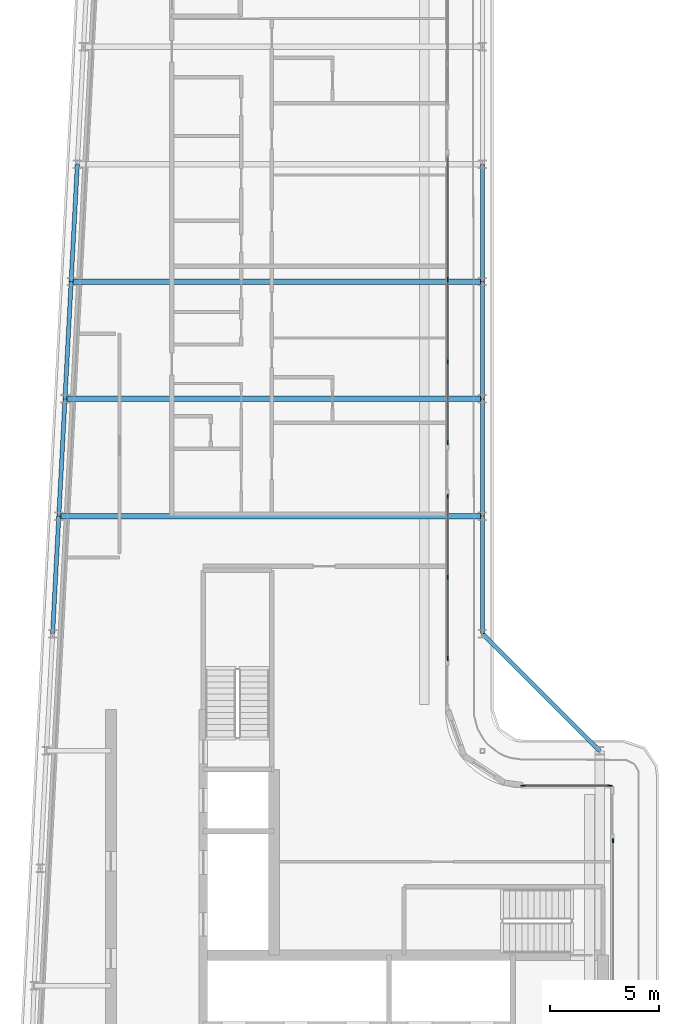
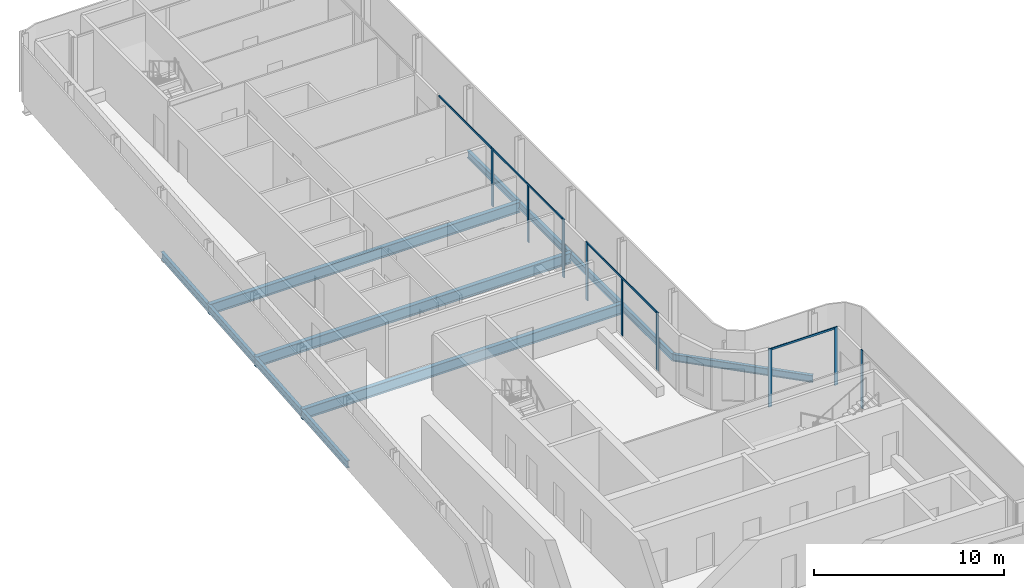
# One storey, part 5 of 17: 13 members, 12 beams, 5 elements without a shape of their own.
"""IFC4 building model written with IfcOpenShell, lengths in metres."""

from ifc_helpers import new_model, si_unit, direction, frame, origin, origin_2d, place, context, subcontext, project, spatial, rectangle, i_section, extrude, material, layer, layer_set, material_profile, profile_set, type_object, element, aggregate, save


model = new_model("IFC4")

# Units and contexts
model_context = context("Model", 3, precision=1e-05, world=origin(), true_north=direction((0.0, 1.0)))
body_context = subcontext(model_context, "Body", "Model", "MODEL_VIEW")
ifc_project = project(units=[si_unit("LENGTHUNIT", "METRE"), si_unit("AREAUNIT", "SQUARE_METRE"), si_unit("VOLUMEUNIT", "CUBIC_METRE"), si_unit("PLANEANGLEUNIT", "RADIAN"), si_unit("MASSUNIT", "GRAM", prefix="KILO")], contexts=[model_context])

# Site, building, storey
site_placement = place(None, origin())
site = spatial("IfcSite", under=ifc_project, at=site_placement, CompositionType="ELEMENT")
building_placement = place(site_placement, origin())
building = spatial("IfcBuilding", under=site, at=building_placement, Name="Kheshtan School and Residences Tower", CompositionType="ELEMENT")
storey_placement = place(building_placement, frame((0.0, 0.0, 346.10009765625)))
storey = spatial("IfcBuildingStorey", under=building, at=storey_placement, Name="L81", CompositionType="ELEMENT", Elevation=346.10009765625)

# Beams
ifc_material_1 = material(Name="Steel ASTM A992 Grade 50", Category="steel")
ifc_material_profile_1 = material_profile(ifc_material_1, i_section(OverallWidth=0.2529296875, OverallDepth=0.677978515625, WebThickness=0.01171875, FlangeThickness=0.016357421875, FilletRadius=0.0146484375, at=origin_2d()), Name="W690x125")
ifc_profile_set_1 = profile_set([ifc_material_profile_1], Name="Steel ASTM A992 Grade 50")
beam_type_1 = type_object("IfcBeamType", Name="Beam FB6 W690x125 ASTM A992 Grade 50", PredefinedType="BEAM", material=ifc_profile_set_1)
beam_1_placement = place(storey_placement, frame((47.60009765625, 61.800048828125, -0.489013671875), z_axis=(-1.0, 0.0, 0.0), x_axis=(0.0, -1.0, 0.0)))
element("IfcBeam", 1, at=beam_1_placement, inside=storey, type_object=beam_type_1, Name="Floor beam C083", PredefinedType="BEAM", context=body_context, shape_type="SweptSolid", body=[
    extrude(i_section(OverallWidth=0.2529296875, OverallDepth=0.677978515625, WebThickness=0.01171875, FlangeThickness=0.016357421875, FilletRadius=0.0146484375, at=origin_2d()), origin(), (0.0, 0.0, 1.0), 19.210205078125),
])
beam_2_placement = place(storey_placement, frame((28.10595703125, 56.39990234375, -0.489013671875), z_axis=(1.0, 0.0, 0.0), x_axis=(0.0, 1.0, 0.0)))
element("IfcBeam", 2, at=beam_2_placement, inside=storey, type_object=beam_type_1, Name="Floor beam C080", PredefinedType="BEAM", context=body_context, shape_type="SweptSolid", body=[
    extrude(i_section(OverallWidth=0.2529296875, OverallDepth=0.677978515625, WebThickness=0.01171875, FlangeThickness=0.016357421875, FilletRadius=0.0146484375, at=origin_2d()), origin(), (0.0, 0.0, 1.0), 19.494140625),
])
beam_3_placement = place(storey_placement, frame((28.674072265625, 67.199951171875, -0.489013671875), z_axis=(1.0, 0.0, 0.0), x_axis=(0.0, 1.0, 0.0)))
element("IfcBeam", 3, at=beam_3_placement, inside=storey, type_object=beam_type_1, Name="Floor beam C084", PredefinedType="BEAM", context=body_context, shape_type="SweptSolid", body=[
    extrude(i_section(OverallWidth=0.2529296875, OverallDepth=0.677978515625, WebThickness=0.01171875, FlangeThickness=0.016357421875, FilletRadius=0.0146484375, at=origin_2d()), origin(), (0.0, 0.0, 1.0), 18.926025390625),
])
ifc_material_profile_2 = material_profile(ifc_material_1, i_section(OverallWidth=0.18994140625, OverallDepth=0.45703125, WebThickness=0.009033203125, FlangeThickness=0.014404296875, FilletRadius=0.01318359375, at=origin_2d()), Name="W460x74")
ifc_profile_set_2 = profile_set([ifc_material_profile_2], Name="Steel ASTM A992 Grade 50")
beam_type_2 = type_object("IfcBeamType", Name="Beam SP4 W460x74 ASTM A992 Grade 50", PredefinedType="BEAM", material=ifc_profile_set_2)
beam_4_placement = place(storey_placement, frame((47.60009765625, 72.60009765625, -0.378662109375), z_axis=(0.0, -1.0, 0.0), x_axis=(1.0, 0.0, 0.0)))
element("IfcBeam", 4, at=beam_4_placement, inside=storey, type_object=beam_type_2, Name="Spandrel beam C087-C085", PredefinedType="BEAM", context=body_context, shape_type="SweptSolid", body=[
    extrude(i_section(OverallWidth=0.18994140625, OverallDepth=0.45703125, WebThickness=0.009033203125, FlangeThickness=0.014404296875, FilletRadius=0.01318359375, at=origin_2d()), origin(), (0.0, 0.0, 1.0), 5.400146484375),
])
beam_5_placement = place(storey_placement, frame((47.60009765625, 67.199951171875, -0.378662109375), z_axis=(0.0, -1.0, 0.0), x_axis=(1.0, 0.0, 0.0)))
element("IfcBeam", 5, at=beam_5_placement, inside=storey, type_object=beam_type_2, Name="Spandrel beam C085-C083", PredefinedType="BEAM", context=body_context, shape_type="SweptSolid", body=[
    extrude(i_section(OverallWidth=0.18994140625, OverallDepth=0.45703125, WebThickness=0.009033203125, FlangeThickness=0.014404296875, FilletRadius=0.01318359375, at=origin_2d()), origin(), (0.0, 0.0, 1.0), 5.39990234375),
])
beam_6_placement = place(storey_placement, frame((47.60009765625, 61.800048828125, -0.378662109375), z_axis=(0.0, -1.0, 0.0), x_axis=(1.0, 0.0, 0.0)))
element("IfcBeam", 6, at=beam_6_placement, inside=storey, type_object=beam_type_2, Name="Spandrel beam C083-C081", PredefinedType="BEAM", context=body_context, shape_type="SweptSolid", body=[
    extrude(i_section(OverallWidth=0.18994140625, OverallDepth=0.45703125, WebThickness=0.009033203125, FlangeThickness=0.014404296875, FilletRadius=0.01318359375, at=origin_2d()), origin(), (0.0, 0.0, 1.0), 5.400146484375),
])
beam_7_placement = place(storey_placement, frame((47.60009765625, 56.39990234375, -0.378662109375), z_axis=(0.0, -1.0, 0.0), x_axis=(1.0, 0.0, 0.0)))
element("IfcBeam", 7, at=beam_7_placement, inside=storey, type_object=beam_type_2, Name="Spandrel beam C081-C079", PredefinedType="BEAM", context=body_context, shape_type="SweptSolid", body=[
    extrude(i_section(OverallWidth=0.18994140625, OverallDepth=0.45703125, WebThickness=0.009033203125, FlangeThickness=0.014404296875, FilletRadius=0.01318359375, at=origin_2d()), origin(), (0.0, 0.0, 1.0), 5.39990234375),
])
beam_8_placement = place(storey_placement, frame((47.60009765625, 51.0, -0.378662109375), z_axis=(0.707106781187, -0.707106781187, 0.0), x_axis=(0.707106781187, 0.707106781187, 0.0)))
element("IfcBeam", 8, at=beam_8_placement, inside=storey, type_object=beam_type_2, Name="Spandrel beam C079-C061", PredefinedType="BEAM", context=body_context, shape_type="SweptSolid", body=[
    extrude(i_section(OverallWidth=0.18994140625, OverallDepth=0.45703125, WebThickness=0.009033203125, FlangeThickness=0.014404296875, FilletRadius=0.01318359375, at=origin_2d()), origin(), (0.0, 0.0, 1.0), 7.63671875),
])
beam_9_placement = place(storey_placement, frame((27.822021484375, 51.0, -0.378662109375), z_axis=(0.05250906864, 0.998620447272, 0.0), x_axis=(-0.998620447272, 0.05250906864, 0.0)))
element("IfcBeam", 9, at=beam_9_placement, inside=storey, type_object=beam_type_2, Name="Spandrel beam C078-C080", PredefinedType="BEAM", context=body_context, shape_type="SweptSolid", body=[
    extrude(i_section(OverallWidth=0.18994140625, OverallDepth=0.45703125, WebThickness=0.009033203125, FlangeThickness=0.014404296875, FilletRadius=0.01318359375, at=origin_2d()), origin(), (0.0, 0.0, 1.0), 5.407470703125),
])
beam_10_placement = place(storey_placement, frame((28.10595703125, 56.39990234375, -0.378662109375), z_axis=(0.05250670125, 0.998620571751, 0.0), x_axis=(-0.998620571751, 0.05250670125, 0.0)))
element("IfcBeam", 10, at=beam_10_placement, inside=storey, type_object=beam_type_2, Name="Spandrel beam C080-C082", PredefinedType="BEAM", context=body_context, shape_type="SweptSolid", body=[
    extrude(i_section(OverallWidth=0.18994140625, OverallDepth=0.45703125, WebThickness=0.009033203125, FlangeThickness=0.014404296875, FilletRadius=0.01318359375, at=origin_2d()), origin(), (0.0, 0.0, 1.0), 5.40771484375),
])
beam_11_placement = place(storey_placement, frame((28.389892578125, 61.800048828125, -0.378662109375), z_axis=(0.052554093665, 0.998618078766, 0.0), x_axis=(-0.998618078766, 0.052554093665, 0.0)))
element("IfcBeam", 11, at=beam_11_placement, inside=storey, type_object=beam_type_2, Name="Spandrel beam C082-C084", PredefinedType="BEAM", context=body_context, shape_type="SweptSolid", body=[
    extrude(i_section(OverallWidth=0.18994140625, OverallDepth=0.45703125, WebThickness=0.009033203125, FlangeThickness=0.014404296875, FilletRadius=0.01318359375, at=origin_2d()), origin(), (0.0, 0.0, 1.0), 5.407470703125),
])
beam_12_placement = place(storey_placement, frame((28.674072265625, 67.199951171875, -0.378662109375), z_axis=(0.05250670125, 0.998620571751, 0.0), x_axis=(-0.998620571751, 0.05250670125, 0.0)))
element("IfcBeam", 12, at=beam_12_placement, inside=storey, type_object=beam_type_2, Name="Spandrel beam C084-C086", PredefinedType="BEAM", context=body_context, shape_type="SweptSolid", body=[
    extrude(i_section(OverallWidth=0.18994140625, OverallDepth=0.45703125, WebThickness=0.009033203125, FlangeThickness=0.014404296875, FilletRadius=0.01318359375, at=origin_2d()), origin(), (0.0, 0.0, 1.0), 5.40771484375),
])

# Curtain wall, members
ifc_material_2 = material(Name="Clear low-e glass in thermally broken aluminium frame", Category="aluminium")
ifc_layer_1 = layer(ifc_material_2, 0.199951171875)
ifc_layer_set_1 = layer_set([ifc_layer_1], Name="Curtain wall CW-B")
curtain_wall_type_1 = type_object("IfcCurtainWallType", Name="Curtain wall CW-B", PredefinedType="NOTDEFINED", material=ifc_layer_set_1)
curtain_wall_1_placement = place(storey_placement, origin())
curtain_wall_1 = element("IfcCurtainWall", 13, at=curtain_wall_1_placement, inside=storey, type_object=curtain_wall_type_1, Name="Curtain wall CWB8", PredefinedType="NOTDEFINED")
ifc_material_3 = material(Name="Thermally broken aluminium, dark bronze anodised", Category="aluminium")
ifc_material_profile_3 = material_profile(ifc_material_3, rectangle(XDim=0.06005859375, YDim=0.199951171875, at=origin_2d()), Name="CW-B mullion 60x200")
ifc_profile_set_3 = profile_set([ifc_material_profile_3], Name="Thermally broken aluminium, dark bronze anodised")
member_type_1 = type_object("IfcMemberType", Name="CW-B mullion 60x200", PredefinedType="MULLION", material=ifc_profile_set_3)
member_1_placement = place(storey_placement, frame((49.4599609375, 44.0, 0.0), z_axis=(0.0, 0.0, 1.0), x_axis=(0.0, 1.0, 0.0)))
member_1 = element("IfcMember", 14, at=member_1_placement, type_object=member_type_1, Name="CWB8 mullion 1", PredefinedType="MULLION", context=body_context, shape_type="SweptSolid", body=[
    extrude(rectangle(XDim=0.06005859375, YDim=0.199951171875, at=origin_2d()), origin(), (0.0, 0.0, 1.0), 3.75),
])
member_2_placement = place(storey_placement, frame((53.469970703125, 44.0, 0.0), z_axis=(0.0, 0.0, 1.0), x_axis=(0.0, 1.0, 0.0)))
member_2 = element("IfcMember", 15, at=member_2_placement, type_object=member_type_1, Name="CWB8 mullion 2", PredefinedType="MULLION", context=body_context, shape_type="SweptSolid", body=[
    extrude(rectangle(XDim=0.06005859375, YDim=0.199951171875, at=origin_2d()), origin(), (0.0, 0.0, 1.0), 3.75),
])
ifc_material_profile_4 = material_profile(ifc_material_3, rectangle(XDim=0.06005859375, YDim=0.1201171875, at=origin_2d()), Name="CW-B transom 60x120")
ifc_profile_set_4 = profile_set([ifc_material_profile_4], Name="Thermally broken aluminium, dark bronze anodised")
member_type_2 = type_object("IfcMemberType", Name="CW-B transom 60x120", PredefinedType="USERDEFINED", material=ifc_profile_set_4)
member_3_placement = place(storey_placement, frame((49.489990234375, 44.0, 3.68994140625), z_axis=(1.0, 0.0, 0.0), x_axis=(0.0, 1.0, 0.0)))
member_3 = element("IfcMember", 16, at=member_3_placement, type_object=member_type_2, Name="CWB8 transom 1", ObjectType="TRANSOM", PredefinedType="USERDEFINED", context=body_context, shape_type="SweptSolid", body=[
    extrude(rectangle(XDim=0.06005859375, YDim=0.1201171875, at=origin_2d()), origin(), (0.0, 0.0, 1.0), 3.949951171875),
])
aggregate(curtain_wall_1, [member_1, member_2, member_3])

# Curtain wall, member
ifc_layer_2 = layer(ifc_material_2, 0.199951171875)
ifc_layer_set_2 = layer_set([ifc_layer_2], Name="Curtain wall CW-L")
curtain_wall_type_2 = type_object("IfcCurtainWallType", Name="Curtain wall CW-L", PredefinedType="NOTDEFINED", material=ifc_layer_set_2)
curtain_wall_2_placement = place(storey_placement, origin())
curtain_wall_2 = element("IfcCurtainWall", 17, at=curtain_wall_2_placement, inside=storey, type_object=curtain_wall_type_2, Name="Curtain wall CWL4k", PredefinedType="NOTDEFINED")
ifc_material_profile_5 = material_profile(ifc_material_3, rectangle(XDim=0.06005859375, YDim=0.199951171875, at=origin_2d()), Name="CW-L mullion 60x200")
ifc_profile_set_5 = profile_set([ifc_material_profile_5], Name="Thermally broken aluminium, dark bronze anodised")
member_type_3 = type_object("IfcMemberType", Name="CW-L mullion 60x200", PredefinedType="MULLION", material=ifc_profile_set_5)
member_4_placement = place(storey_placement, frame((46.0, 67.294921875, 0.0), z_axis=(0.0, 0.0, 1.0), x_axis=(1.0, 0.0, 0.0)))
member_4 = element("IfcMember", 18, at=member_4_placement, type_object=member_type_3, Name="CWL4k mullion 2", PredefinedType="MULLION", context=body_context, shape_type="SweptSolid", body=[
    extrude(rectangle(XDim=0.06005859375, YDim=0.199951171875, at=origin_2d()), origin(), (0.0, 0.0, 1.0), 3.75),
])

# Curtain wall, members
curtain_wall_3_placement = place(storey_placement, origin())
curtain_wall_3 = element("IfcCurtainWall", 19, at=curtain_wall_3_placement, inside=storey, type_object=curtain_wall_type_2, Name="Curtain wall CWL4a", PredefinedType="NOTDEFINED")
member_5_placement = place(storey_placement, frame((46.0, 63.50634765625, 0.0), z_axis=(0.0, 0.0, 1.0), x_axis=(1.0, 0.0, 0.0)))
member_5 = element("IfcMember", 20, at=member_5_placement, type_object=member_type_3, Name="CWL4a mullion 2", PredefinedType="MULLION", context=body_context, shape_type="SweptSolid", body=[
    extrude(rectangle(XDim=0.06005859375, YDim=0.199951171875, at=origin_2d()), origin(), (0.0, 0.0, 1.0), 3.6298828125),
])
member_6_placement = place(storey_placement, frame((46.0, 59.777587890625, 0.0), z_axis=(0.0, 0.0, 1.0), x_axis=(1.0, 0.0, 0.0)))
member_6 = element("IfcMember", 21, at=member_6_placement, type_object=member_type_3, Name="CWL4a mullion 3", PredefinedType="MULLION", context=body_context, shape_type="SweptSolid", body=[
    extrude(rectangle(XDim=0.06005859375, YDim=0.199951171875, at=origin_2d()), origin(), (0.0, 0.0, 1.0), 3.75),
])

curtain_wall_4_placement = place(storey_placement, origin())
curtain_wall_4 = element("IfcCurtainWall", 22, at=curtain_wall_4_placement, inside=storey, type_object=curtain_wall_type_2, Name="Curtain wall CWL4a", PredefinedType="NOTDEFINED")
member_7_placement = place(storey_placement, frame((46.0, 57.3173828125, 0.0), z_axis=(0.0, 0.0, 1.0), x_axis=(1.0, 0.0, 0.0)))
member_7 = element("IfcMember", 23, at=member_7_placement, type_object=member_type_3, Name="CWL4a mullion 1", PredefinedType="MULLION", context=body_context, shape_type="SweptSolid", body=[
    extrude(rectangle(XDim=0.06005859375, YDim=0.199951171875, at=origin_2d()), origin(), (0.0, 0.0, 1.0), 3.75),
])
member_8_placement = place(storey_placement, frame((46.0, 53.5888671875, 0.0), z_axis=(0.0, 0.0, 1.0), x_axis=(1.0, 0.0, 0.0)))
member_8 = element("IfcMember", 24, at=member_8_placement, type_object=member_type_3, Name="CWL4a mullion 2", PredefinedType="MULLION", context=body_context, shape_type="SweptSolid", body=[
    extrude(rectangle(XDim=0.06005859375, YDim=0.199951171875, at=origin_2d()), origin(), (0.0, 0.0, 1.0), 3.6298828125),
])
member_9_placement = place(storey_placement, frame((46.0, 49.860107421875, 0.0), z_axis=(0.0, 0.0, 1.0), x_axis=(1.0, 0.0, 0.0)))
member_9 = element("IfcMember", 25, at=member_9_placement, type_object=member_type_3, Name="CWL4a mullion 3", PredefinedType="MULLION", context=body_context, shape_type="SweptSolid", body=[
    extrude(rectangle(XDim=0.06005859375, YDim=0.199951171875, at=origin_2d()), origin(), (0.0, 0.0, 1.0), 3.75),
])

# Curtain wall, member
curtain_wall_5_placement = place(storey_placement, origin())
curtain_wall_5 = element("IfcCurtainWall", 26, at=curtain_wall_5_placement, inside=storey, type_object=curtain_wall_type_2, Name="Curtain wall CWL9e", PredefinedType="NOTDEFINED")
member_10_placement = place(storey_placement, frame((53.60009765625, 41.469970703125, 0.0), z_axis=(0.0, 0.0, 1.0), x_axis=(1.0, 0.0, 0.0)))
member_10 = element("IfcMember", 27, at=member_10_placement, type_object=member_type_3, Name="CWL9e mullion 1", PredefinedType="MULLION", context=body_context, shape_type="SweptSolid", body=[
    extrude(rectangle(XDim=0.06005859375, YDim=0.199951171875, at=origin_2d()), origin(), (0.0, 0.0, 1.0), 3.75),
])
aggregate(curtain_wall_5, [member_10])

# Member
ifc_material_profile_6 = material_profile(ifc_material_3, rectangle(XDim=0.06005859375, YDim=0.1201171875, at=origin_2d()), Name="CW-L transom 60x120")
ifc_profile_set_6 = profile_set([ifc_material_profile_6], Name="Thermally broken aluminium, dark bronze anodised")
member_type_4 = type_object("IfcMemberType", Name="CW-L transom 60x120", PredefinedType="USERDEFINED", material=ifc_profile_set_6)
member_11_placement = place(storey_placement, frame((46.0, 72.922607421875, 3.68994140625), z_axis=(0.0, -1.0, 0.0), x_axis=(1.0, 0.0, 0.0)))
member_11 = element("IfcMember", 28, at=member_11_placement, type_object=member_type_4, Name="CWL4k transom 1", ObjectType="TRANSOM", PredefinedType="USERDEFINED", context=body_context, shape_type="SweptSolid", body=[
    extrude(rectangle(XDim=0.06005859375, YDim=0.1201171875, at=origin_2d()), origin(), (0.0, 0.0, 1.0), 5.59765625),
])

aggregate(curtain_wall_2, [member_4, member_11])

member_12_placement = place(storey_placement, frame((46.0, 67.264892578125, 3.68994140625), z_axis=(0.0, -1.0, 0.0), x_axis=(1.0, 0.0, 0.0)))
member_12 = element("IfcMember", 29, at=member_12_placement, type_object=member_type_4, Name="CWL4a transom 1", ObjectType="TRANSOM", PredefinedType="USERDEFINED", context=body_context, shape_type="SweptSolid", body=[
    extrude(rectangle(XDim=0.06005859375, YDim=0.1201171875, at=origin_2d()), origin(), (0.0, 0.0, 1.0), 7.457275390625),
])

aggregate(curtain_wall_3, [member_5, member_6, member_12])

member_13_placement = place(storey_placement, frame((46.0, 57.28759765625, 3.68994140625), z_axis=(0.0, -1.0, 0.0), x_axis=(1.0, 0.0, 0.0)))
member_13 = element("IfcMember", 30, at=member_13_placement, type_object=member_type_4, Name="CWL4a transom 1", ObjectType="TRANSOM", PredefinedType="USERDEFINED", context=body_context, shape_type="SweptSolid", body=[
    extrude(rectangle(XDim=0.06005859375, YDim=0.1201171875, at=origin_2d()), origin(), (0.0, 0.0, 1.0), 7.397705078125),
])

aggregate(curtain_wall_4, [member_7, member_8, member_9, member_13])

save(model, "model.ifc")
